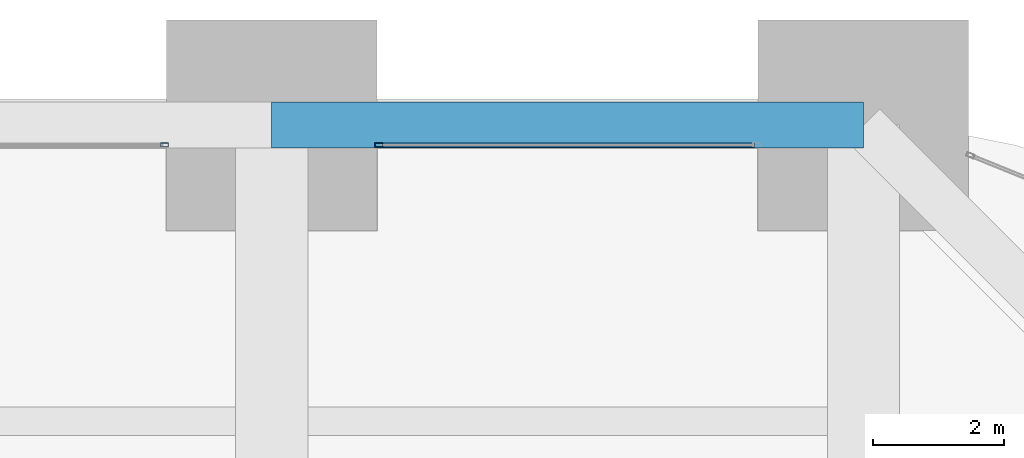
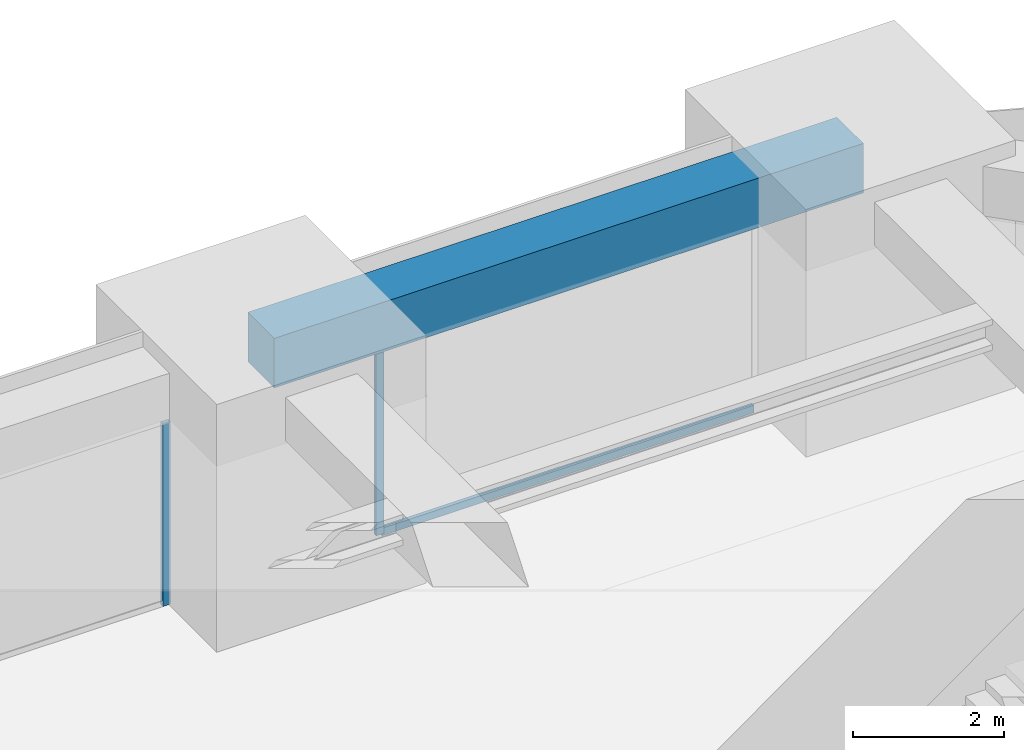
# One storey, part 34 of 43: 3 members, 1 beam, 2 elements without a shape of their own.
"""IFC4 building model written with IfcOpenShell, lengths in metres."""

from ifc_helpers import new_model, si_unit, direction, frame, origin, origin_2d, place, context, subcontext, project, spatial, rectangle, hollow_rectangle, extrude, material, material_profile, profile_set, type_object, element, aggregate, save


model = new_model("IFC4")

# Units and contexts
model_context = context("Model", 3, precision=1e-05, world=origin(), true_north=direction((0.0, 1.0)))
body_context = subcontext(model_context, "Body", "Model", "MODEL_VIEW")
ifc_project = project(units=[si_unit("LENGTHUNIT", "METRE"), si_unit("AREAUNIT", "SQUARE_METRE"), si_unit("VOLUMEUNIT", "CUBIC_METRE"), si_unit("PLANEANGLEUNIT", "RADIAN"), si_unit("MASSUNIT", "GRAM", prefix="KILO")], contexts=[model_context])

# Site, building, storey
site_placement = place(None, origin())
site = spatial("IfcSite", under=ifc_project, at=site_placement, CompositionType="ELEMENT")
building_placement = place(site_placement, origin())
building = spatial("IfcBuilding", under=site, at=building_placement, Name="Zorevar Civic Tower", CompositionType="ELEMENT")
storey_placement = place(building_placement, frame((0.0, 0.0, 243.39990234375)))
storey = spatial("IfcBuildingStorey", under=building, at=storey_placement, Name="L59", CompositionType="ELEMENT", Elevation=243.39990234375)

# Curtain wall, member
ifc_material_1 = material(Name="Dark grey solar-control glass in black aluminium frame", Category="aluminium")
curtain_wall_type = type_object("IfcCurtainWallType", Name="Curtain wall CW5 top zone", PredefinedType="NOTDEFINED", material=ifc_material_1)
curtain_wall_1_placement = place(storey_placement, origin())
curtain_wall_1 = element("IfcCurtainWall", 1, at=curtain_wall_1_placement, inside=storey, type_object=curtain_wall_type, Name="CW5 L59", PredefinedType="NOTDEFINED")
ifc_material_2 = material(Name="Aluminium, black anodised", Category="aluminium")
ifc_material_profile_1 = material_profile(ifc_material_2, hollow_rectangle(XDim=0.06005859375, YDim=0.1201171875, WallThickness=0.0029296875, at=origin_2d()), Name="AL 120x60x3")
ifc_profile_set_1 = profile_set([ifc_material_profile_1], Name="Aluminium, black anodised")
member_type_1 = type_object("IfcMemberType", Name="CW5 mullion AL 120x60x3", PredefinedType="MULLION", material=ifc_profile_set_1)
member_1_placement = place(storey_placement, frame((34.3701171875, 44.699951171875, 0.0), z_axis=(0.0, 0.0, 1.0), x_axis=(0.0, 1.0, 0.0)))
member_1 = element("IfcMember", 2, at=member_1_placement, type_object=member_type_1, Name="CW5 mullion 2", PredefinedType="MULLION", context=body_context, shape_type="SweptSolid", body=[
    extrude(hollow_rectangle(XDim=0.06005859375, YDim=0.1201171875, WallThickness=0.0029296875, at=origin_2d()), origin(), (0.0, 0.0, 1.0), 2.9501953125),
])
aggregate(curtain_wall_1, [member_1])

# Curtain wall, members
curtain_wall_2_placement = place(storey_placement, origin())
curtain_wall_2 = element("IfcCurtainWall", 3, at=curtain_wall_2_placement, inside=storey, type_object=curtain_wall_type, Name="CW5 L59", PredefinedType="NOTDEFINED")
member_2_placement = place(storey_placement, frame((37.6298828125, 44.699951171875, 0.0), z_axis=(0.0, 0.0, 1.0), x_axis=(0.0, 1.0, 0.0)))
member_2 = element("IfcMember", 4, at=member_2_placement, type_object=member_type_1, Name="CW5 mullion 1", PredefinedType="MULLION", context=body_context, shape_type="SweptSolid", body=[
    extrude(hollow_rectangle(XDim=0.06005859375, YDim=0.1201171875, WallThickness=0.0029296875, at=origin_2d()), origin(), (0.0, 0.0, 1.0), 2.9501953125),
])
ifc_material_3 = material(Name="Aluminium, black anodised", Category="aluminium")
ifc_material_profile_2 = material_profile(ifc_material_3, hollow_rectangle(XDim=0.06005859375, YDim=0.1201171875, WallThickness=0.0029296875, at=origin_2d()), Name="AL 120x60x3")
ifc_profile_set_2 = profile_set([ifc_material_profile_2], Name="Aluminium, black anodised")
member_type_2 = type_object("IfcMemberType", Name="CW5 transom AL 120x60x3", PredefinedType="USERDEFINED", material=ifc_profile_set_2)
member_3_placement = place(storey_placement, frame((37.659912109375, 44.699951171875, 0.030029296875), z_axis=(1.0, 0.0, 0.0), x_axis=(0.0, 1.0, 0.0)))
member_3 = element("IfcMember", 5, at=member_3_placement, type_object=member_type_2, Name="CW5 sill transom", ObjectType="TRANSOM", PredefinedType="USERDEFINED", context=body_context, shape_type="SweptSolid", body=[
    extrude(hollow_rectangle(XDim=0.06005859375, YDim=0.1201171875, WallThickness=0.0029296875, at=origin_2d()), origin(), (0.0, 0.0, 1.0), 5.68017578125),
])
aggregate(curtain_wall_2, [member_2, member_3])

# Beam
ifc_material_4 = material(Name="Concrete C50/60", Category="concrete")
ifc_material_profile_3 = material_profile(ifc_material_4, rectangle(XDim=0.699951171875, YDim=0.800048828125, at=origin_2d()), Name="RC 700x800")
ifc_profile_set_3 = profile_set([ifc_material_profile_3], Name="Concrete C50/60")
beam_type = type_object("IfcBeamType", Name="Edge beam RC 700x800", PredefinedType="SPANDREL", material=ifc_profile_set_3)
beam_placement = place(storey_placement, frame((36.0, 45.0, 3.35009765625), z_axis=(1.0, 0.0, 0.0), x_axis=(0.0, 1.0, 0.0)))
element("IfcBeam", 6, at=beam_placement, inside=storey, type_object=beam_type, Name="Edge beam L60", PredefinedType="SPANDREL", context=body_context, shape_type="SweptSolid", body=[
    extrude(rectangle(XDim=0.699951171875, YDim=0.800048828125, at=origin_2d()), origin(), (0.0, 0.0, 1.0), 9.0),
])

save(model, "model.ifc")
